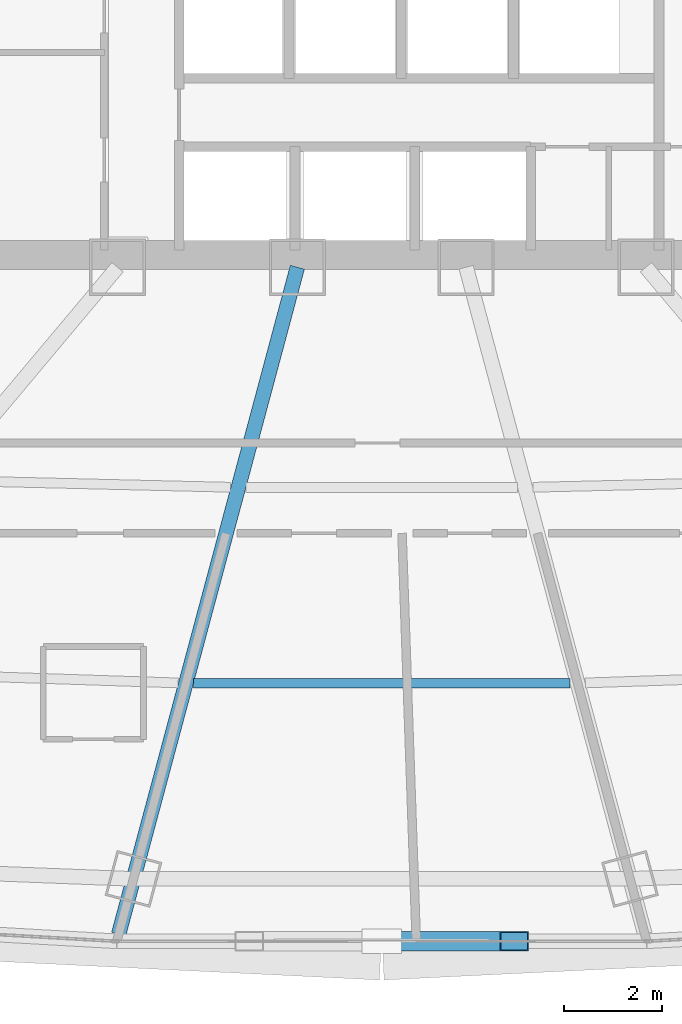
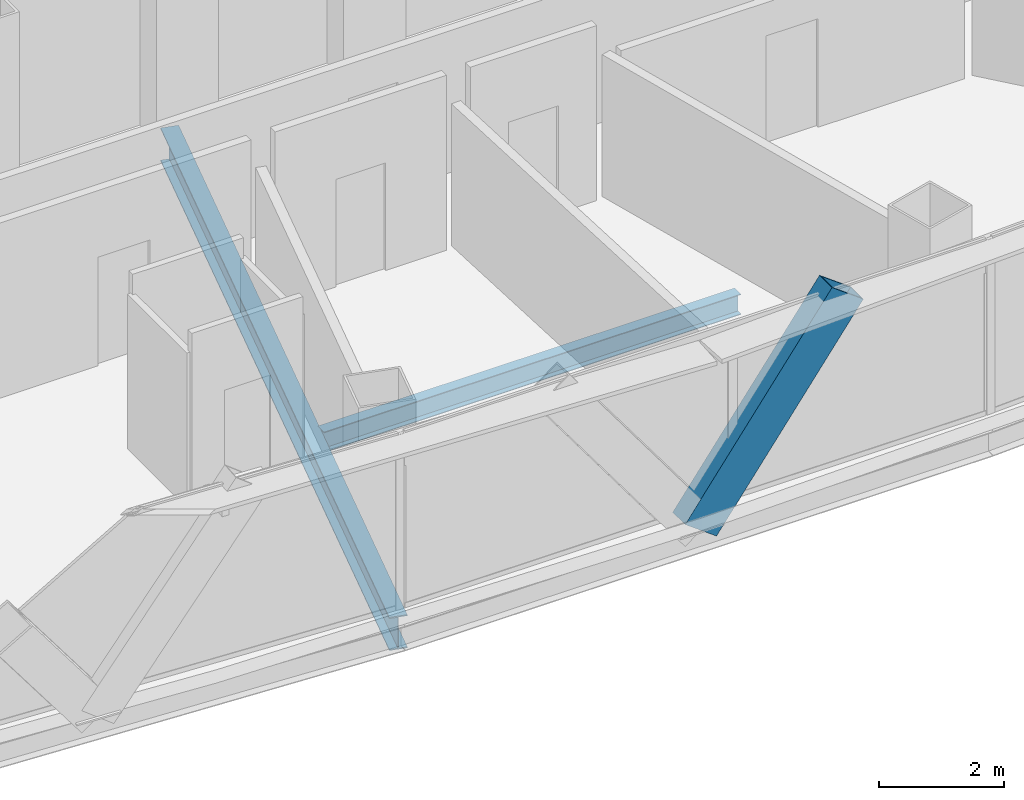
# One storey, part 11 of 42: 2 beams, 1 member.
"""IFC4 building model written with IfcOpenShell, lengths in metres."""

from ifc_helpers import new_model, si_unit, direction, frame, origin, origin_2d, place, context, subcontext, project, spatial, hollow_rectangle, i_section, extrude, source, transform, mapped, material, material_profile, profile_set, type_object, element, save


model = new_model("IFC4")

# Units and contexts
model_context = context("Model", 3, precision=1e-05, world=origin(), true_north=direction((0.0, 1.0)))
body_context = subcontext(model_context, "Body", "Model", "MODEL_VIEW")
ifc_project = project(units=[si_unit("LENGTHUNIT", "METRE"), si_unit("AREAUNIT", "SQUARE_METRE"), si_unit("VOLUMEUNIT", "CUBIC_METRE"), si_unit("PLANEANGLEUNIT", "RADIAN"), si_unit("MASSUNIT", "GRAM", prefix="KILO"), si_unit("THERMODYNAMICTEMPERATUREUNIT", "KELVIN"), si_unit("POWERUNIT", "WATT")], contexts=[model_context])

# Site, building, storey
site_placement = place(None, origin())
site = spatial("IfcSite", under=ifc_project, at=site_placement, CompositionType="ELEMENT")
building_placement = place(site_placement, origin())
building = spatial("IfcBuilding", under=site, at=building_placement, Name="Yunzhuo Pagoda Commons", CompositionType="ELEMENT")
storey_placement = place(building_placement, frame((0.0, 0.0, 151.909912109375)))
storey = spatial("IfcBuildingStorey", under=building, at=storey_placement, Name="L38", CompositionType="ELEMENT", Elevation=151.909912109375)

# Beams
ifc_material = material(Name="Structural steel Q355B", Category="steel")
ifc_material_profile_1 = material_profile(ifc_material, i_section(OverallWidth=0.199951171875, OverallDepth=0.39990234375, WebThickness=0.008056640625, FlangeThickness=0.012939453125, at=origin_2d()), Name="Structural steel Q355B")
ifc_profile_set_1 = profile_set([ifc_material_profile_1], Name="Structural steel Q355B")
beam_type_1 = type_object("IfcBeamType", Name="B-JS1 Joist HN 400x200x8x13", PredefinedType="JOIST", material=ifc_profile_set_1)
shared_shape_1 = source(origin(), body_context, "Body", "SweptSolid", [
    extrude(i_section(OverallWidth=0.199951171875, OverallDepth=0.39990234375, WebThickness=0.008056640625, FlangeThickness=0.012939453125, at=origin_2d()), origin(), (0.0, 0.0, 1.0), 7.7041015625),
])
beam_1_placement = place(storey_placement, frame((44.14794921875, 18.730712890625, -0.4599609375), z_axis=(1.0, 0.0, 0.0), x_axis=(0.0, 1.0, 0.0)))
element("IfcBeam", 1, at=beam_1_placement, inside=storey, type_object=beam_type_1, Name="L38 composite ring joist 2.2", PredefinedType="JOIST", context=body_context, shape_type="MappedRepresentation", body=[
    mapped(shared_shape_1, transform((0.0, 0.0, 0.0), scale=1.0)),
])
ifc_material_profile_2 = material_profile(ifc_material, i_section(OverallWidth=0.300048828125, OverallDepth=0.64990234375, WebThickness=0.012939453125, FlangeThickness=0.02197265625, at=origin_2d()), Name="Structural steel Q355B")
ifc_profile_set_2 = profile_set([ifc_material_profile_2], Name="Structural steel Q355B")
beam_type_2 = type_object("IfcBeamType", Name="B-RG2 Beam HN 650x300x13x22", PredefinedType="BEAM", material=ifc_profile_set_2)
shared_shape_2 = source(origin(), body_context, "Body", "SweptSolid", [
    extrude(i_section(OverallWidth=0.300048828125, OverallDepth=0.64990234375, WebThickness=0.012939453125, FlangeThickness=0.02197265625, at=origin_2d()), origin(), (0.0, 0.0, 1.0), 14.137939453125),
])
beam_2_placement = place(storey_placement, frame((42.612548828125, 13.59375, -0.5849609375), z_axis=(0.258835059524, 0.965921535095, 0.0), x_axis=(-0.965921535095, 0.258835059524, 0.0)))
element("IfcBeam", 2, at=beam_2_placement, inside=storey, type_object=beam_type_2, Name="L38 radial floor girder F1C2", PredefinedType="BEAM", context=body_context, shape_type="MappedRepresentation", body=[
    mapped(shared_shape_2, transform((0.0, 0.0, 0.0), scale=1.0)),
])

# Member
ifc_material_profile_3 = material_profile(ifc_material, hollow_rectangle(XDim=0.39990234375, YDim=0.719970703125, WallThickness=0.02392578125, at=origin_2d()), Name="Structural steel Q355B")
ifc_profile_set_3 = profile_set([ifc_material_profile_3], Name="Structural steel Q355B")
member_type = type_object("IfcMemberType", Name="M-DL2 Brace BOX 720x400x24", PredefinedType="BRACE", material=ifc_profile_set_3)
shared_shape_3 = source(origin(), body_context, "Body", "SweptSolid", [
    extrude(hollow_rectangle(XDim=0.39990234375, YDim=0.719970703125, WallThickness=0.02392578125, at=origin_2d()), origin(), (0.0, 0.0, 1.0), 4.572509765625),
])
member_placement = place(storey_placement, frame((48.0, 13.44384765625, -0.260009765625), z_axis=(0.593504968491, 0.0, 0.80483032521), x_axis=(0.0, 1.0, 0.0)))
element("IfcMember", 3, at=member_placement, inside=storey, type_object=member_type, Name="L38 facade diamond brace F1.2R", PredefinedType="BRACE", context=body_context, shape_type="MappedRepresentation", body=[
    mapped(shared_shape_3, transform((0.0, 0.0, 0.0), scale=1.0)),
])

save(model, "model.ifc")
